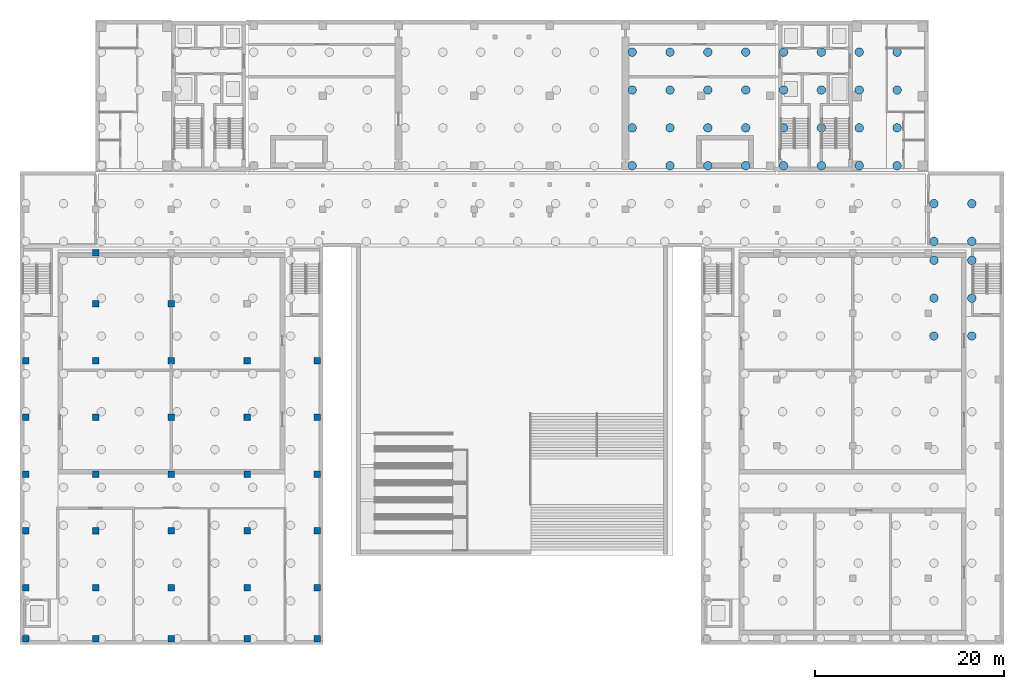
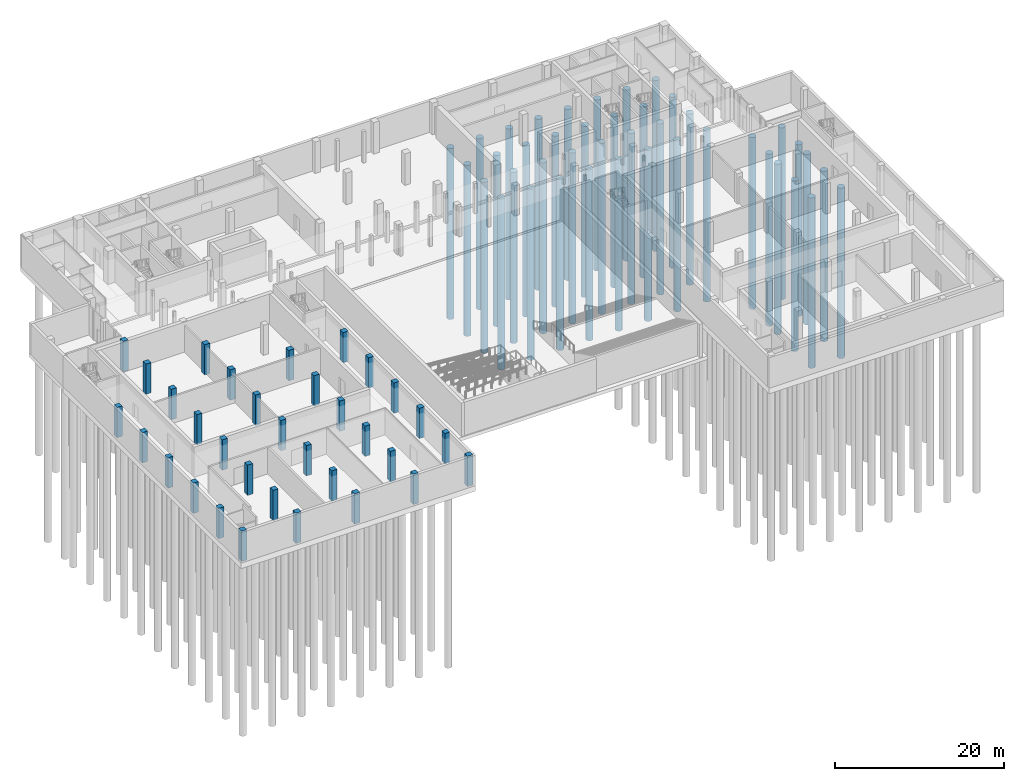
# One storey, part 2 of 21: 42 piles, 33 columns.
"""IFC4 building model written with IfcOpenShell, lengths in metres."""

import ifcopenshell
import ifcopenshell.guid

model = None  # the IFC model being written
_history = None  # IfcOwnerHistory: only IFC2X3 demands one
_inside = {}  # id of a spatial element -> (the spatial element, [elements in it])
_under = {}  # id of a project, library or spatial element -> (it, [spatial elements below it])
_declared = {}  # id of a project -> (the project, [libraries it declares])
_typed = {}  # id of a type object -> (the type object, [elements of that type])
_made_of = {}  # id of a material, layer set ... -> (it, [elements and type objects made of it])


def new_model(schema):
    """Start an empty IFC model of exactly this schema.

    Asked for "IFC4X3", IfcOpenShell would pick the latest addendum, in which some entities
    have other attributes; the version numbers below select the first issue.
    IFC2X3 requires an IfcOwnerHistory on every rooted entity: one is made here for all.
    """
    global model, _history
    if schema == "IFC4X3":
        model = ifcopenshell.file(schema_version=(4, 3, 0, 0))
    else:
        model = ifcopenshell.file(schema=schema)
    _inside.clear()
    _under.clear()
    _declared.clear()
    _typed.clear()
    _made_of.clear()
    _history = None
    if model.schema == "IFC2X3":
        org = make("IfcOrganization", Name="unknown")
        user = make(
            "IfcPersonAndOrganization",
            ThePerson=make("IfcPerson", FamilyName="unknown"),
            TheOrganization=org,
        )
        app = make(
            "IfcApplication",
            ApplicationDeveloper=org,
            Version="unknown",
            ApplicationFullName="unknown",
            ApplicationIdentifier="unknown",
        )
        _history = make(
            "IfcOwnerHistory",
            OwningUser=user,
            OwningApplication=app,
            ChangeAction="ADDED",
            CreationDate=0,
        )
    return model


def make(cls, **values):
    """One entity of the class cls with the attributes given. An attribute that is None is left unset."""
    return model.create_entity(
        cls, **{name: value for name, value in values.items() if value is not None}
    )


def rooted(cls, **values):
    """An entity with a GlobalId (a new one), such as an element, a storey or a relation."""
    return make(cls, GlobalId=ifcopenshell.guid.new(), OwnerHistory=_history, **values)


def si_unit(unit_type, name, prefix=None):
    """IfcSIUnit, for example si_unit("LENGTHUNIT", "METRE", prefix="MILLI")."""
    return make("IfcSIUnit", UnitType=unit_type, Prefix=prefix, Name=name)


def assignment(units):
    """IfcUnitAssignment: the units of a project."""
    return None if units is None else make("IfcUnitAssignment", Units=units)


def point(xyz):
    """IfcCartesianPoint."""
    return None if xyz is None else make("IfcCartesianPoint", Coordinates=xyz)


def direction(xyz):
    """IfcDirection."""
    return None if xyz is None else make("IfcDirection", DirectionRatios=xyz)


def frame(location, z_axis=None, x_axis=None):
    """IfcAxis2Placement3D, a coordinate frame: its origin and axes. An axis left out is left unset."""
    return make(
        "IfcAxis2Placement3D",
        Location=point(location),
        Axis=direction(z_axis),
        RefDirection=direction(x_axis),
    )


def frame_2d(location, x_axis=None):
    """IfcAxis2Placement2D, a coordinate frame in the plane: its origin and x axis."""
    return make(
        "IfcAxis2Placement2D", Location=point(location), RefDirection=direction(x_axis)
    )


def origin():
    """The frame at (0, 0, 0) with its axes left unset."""
    return frame((0.0, 0.0, 0.0))


def origin_2d():
    """The frame at (0, 0) in the plane with its x axis left unset."""
    return frame_2d((0.0, 0.0))


def place(relative_to, where):
    """IfcLocalPlacement: puts the frame where relative to a parent placement (None: the world)."""
    return make(
        "IfcLocalPlacement", PlacementRelTo=relative_to, RelativePlacement=where
    )


def context(
    kind, dimensions, precision=None, world=None, true_north=None, identifier=None
):
    """IfcGeometricRepresentationContext, for example the 3D "Model" context."""
    return make(
        "IfcGeometricRepresentationContext",
        ContextIdentifier=identifier,
        ContextType=kind,
        CoordinateSpaceDimension=dimensions,
        Precision=precision,
        WorldCoordinateSystem=world,
        TrueNorth=true_north,
    )


def subcontext(parent, identifier, kind, view, scale=None):
    """IfcGeometricRepresentationSubContext, for example "Body" below "Model"."""
    return make(
        "IfcGeometricRepresentationSubContext",
        ContextIdentifier=identifier,
        ContextType=kind,
        ParentContext=parent,
        TargetScale=scale,
        TargetView=view,
    )


def project(units=None, contexts=None):
    """IfcProject with its units and contexts."""
    return rooted(
        "IfcProject",
        Name="project",
        RepresentationContexts=contexts,
        UnitsInContext=assignment(units),
    )


def spatial(cls, under=None, at=None, **own):
    """A site, building, storey or space (cls), placed at a placement, below another one or the project."""
    s = rooted(cls, ObjectPlacement=at, **own)
    if under is not None:
        _under.setdefault(under.id(), (under, []))[1].append(s)
    return s


def profile(cls, at=None, kind="AREA", **sizes):
    """A parametric profile (cls). Its sizes go by their IFC names, for example OverallWidth=200.0."""
    return make(cls, ProfileType=kind, Position=at, **sizes)


def rectangle(**sizes):
    """IfcRectangleProfileDef."""
    return profile("IfcRectangleProfileDef", **sizes)


def circle(**sizes):
    """IfcCircleProfileDef."""
    return profile("IfcCircleProfileDef", **sizes)


def extrude(swept, where, along, depth):
    """IfcExtrudedAreaSolid: the profile swept, set in the frame where, extruded along a direction by depth."""
    return make(
        "IfcExtrudedAreaSolid",
        SweptArea=swept,
        Position=where,
        ExtrudedDirection=direction(along),
        Depth=depth,
    )


def shape(context_of_items, identifier, shape_type, items):
    """IfcShapeRepresentation: the items that make up one representation, for example the "Body"."""
    return make(
        "IfcShapeRepresentation",
        ContextOfItems=context_of_items,
        RepresentationIdentifier=identifier,
        RepresentationType=shape_type,
        Items=items,
    )


def material(Name=None, Category=None):
    """IfcMaterial."""
    return make("IfcMaterial", Name=Name, Category=Category)


def material_profile(
    of_material, cross_section, Name=None, Category=None, Priority=None
):
    """IfcMaterialProfile: a cross section and its material."""
    return make(
        "IfcMaterialProfile",
        Name=Name,
        Material=of_material,
        Profile=cross_section,
        Priority=Priority,
        Category=Category,
    )


def profile_set(profiles, Name=None, composite=None):
    """IfcMaterialProfileSet."""
    return make(
        "IfcMaterialProfileSet",
        Name=Name,
        MaterialProfiles=profiles,
        CompositeProfile=composite,
    )


def made_of(thing, what):
    """Note that an element or type object is made of a material, layer set ...; save() writes the relation."""
    if what is not None:
        _made_of.setdefault(what.id(), (what, []))[1].append(thing)
    return thing


def type_object(cls, material=None, **own):
    """A type object (cls), such as IfcWallType, which elements share."""
    return made_of(rooted(cls, **own), material)


def element(
    cls,
    number,
    at=None,
    inside=None,
    cuts=None,
    type_object=None,
    material=None,
    context=None,
    identifier="Body",
    shape_type=None,
    held_by="IfcProductDefinitionShape",
    body=None,
    shapes=None,
    **own,
):
    """One element of the class cls, such as IfcWall. Its Tag is "e" and its number.

    at: its placement. inside: the storey or other place that contains it. cuts: it is an
    opening in that element (IfcRelVoidsElement). A single representation is given by context,
    identifier, shape_type and body (its items); several are given by shapes. held_by: the class
    of the entity that holds the representations. save() writes the other relations.
    """
    e = rooted(cls, Tag="e%d" % number, ObjectPlacement=at, **own)
    if body is not None:
        shapes = [shape(context, identifier, shape_type, body)]
    if shapes is not None:
        e.Representation = make(held_by, Representations=shapes)
    if inside is not None:
        _inside.setdefault(inside.id(), (inside, []))[1].append(e)
    if cuts is not None:
        rooted(
            "IfcRelVoidsElement", RelatingBuildingElement=cuts, RelatedOpeningElement=e
        )
    if type_object is not None:
        _typed.setdefault(type_object.id(), (type_object, []))[1].append(e)
    return made_of(e, material)


def aggregate(whole, parts):
    """IfcRelAggregates: a whole, such as a stair, and the parts it consists of."""
    return rooted("IfcRelAggregates", RelatingObject=whole, RelatedObjects=parts)


def save(model, path):
    """Write the relations noted so far, then the file.

    IfcRelAggregates (storeys below a building ...), IfcRelContainedInSpatialStructure (elements
    in a storey), IfcRelDefinesByType, IfcRelAssociatesMaterial and IfcRelDeclares: one each for
    every whole, place, type object, material and project.
    """
    for whole, parts in _under.values():
        aggregate(whole, parts)
    for where, things in _inside.values():
        rooted(
            "IfcRelContainedInSpatialStructure",
            RelatedElements=things,
            RelatingStructure=where,
        )
    for kind, things in _typed.values():
        rooted("IfcRelDefinesByType", RelatedObjects=things, RelatingType=kind)
    for what, things in _made_of.values():
        rooted("IfcRelAssociatesMaterial", RelatedObjects=things, RelatingMaterial=what)
    for by, libraries in _declared.values():
        rooted("IfcRelDeclares", RelatingContext=by, RelatedDefinitions=libraries)
    model.write(path)


model = new_model("IFC4")

# Units and contexts
model_context = context("Model", 3, precision=1e-05, world=origin(), true_north=direction((0.0, 1.0)))
body_context = subcontext(model_context, "Body", "Model", "MODEL_VIEW")
ifc_project = project(units=[si_unit("LENGTHUNIT", "METRE"), si_unit("AREAUNIT", "SQUARE_METRE"), si_unit("VOLUMEUNIT", "CUBIC_METRE"), si_unit("PLANEANGLEUNIT", "RADIAN"), si_unit("MASSUNIT", "GRAM", prefix="KILO")], contexts=[model_context])

# Site, building, storey
site_placement = place(None, origin())
site = spatial("IfcSite", under=ifc_project, at=site_placement, CompositionType="ELEMENT")
building_placement = place(site_placement, origin())
building = spatial("IfcBuilding", under=site, at=building_placement, Name="Lantern Court Media Centre", CompositionType="ELEMENT")
storey_placement = place(building_placement, frame((0.0, 0.0, -4.800048828125)))
storey = spatial("IfcBuildingStorey", under=building, at=storey_placement, Name="B1", CompositionType="ELEMENT", Elevation=-4.800048828125)

# Piles
ifc_material_1 = material(Name="Concrete C30", Category="concrete")
ifc_material_profile_1 = material_profile(ifc_material_1, circle(Radius=0.449951171875, at=origin_2d()), Name="D900")
ifc_profile_set_1 = profile_set([ifc_material_profile_1], Name="Concrete C30")
pile_type = type_object("IfcPileType", Name="BORED PILE D900", PredefinedType="BORED", material=ifc_profile_set_1)
for number, where, z_axis, x_axis, name in (
    (1, (96.60009765625, 30.60009765625, -0.64990234375), (0.0, 0.0, -1.0), (1.0, 0.0, 0.0), "PL-B1-2-074"),
    (2, (96.60009765625, 34.60009765625, -0.64990234375), (0.0, 0.0, -1.0), (1.0, 0.0, 0.0), "PL-B1-2-075"),
    (3, (96.60009765625, 38.60009765625, -0.64990234375), (0.0, 0.0, -1.0), (1.0, 0.0, 0.0), "PL-B1-2-076"),
    (4, (100.60009765625, 30.60009765625, -0.64990234375), (0.0, 0.0, -1.0), (1.0, 0.0, 0.0), "PL-B1-2-085"),
    (5, (100.60009765625, 34.60009765625, -0.64990234375), (0.0, 0.0, -1.0), (1.0, 0.0, 0.0), "PL-B1-2-086"),
    (6, (100.60009765625, 38.60009765625, -0.64990234375), (0.0, 0.0, -1.0), (1.0, 0.0, 0.0), "PL-B1-2-087"),
):
    element("IfcPile", number, at=place(storey_placement, frame(where, z_axis=z_axis, x_axis=x_axis)), inside=storey, type_object=pile_type, Name=name, PredefinedType="BORED", context=body_context, shape_type="SweptSolid", body=[
        extrude(circle(Radius=0.449951171875, at=origin_2d()), origin(), (0.0, 0.0, 1.0), 24.550048828125),
    ])
for number, where, z_axis, x_axis, name in (
    (7, (96.60009765625, 40.60009765625, -0.449951171875), (0.0, 0.0, -1.0), (1.0, 0.0, 0.0), "PL-B1-3-046"),
    (8, (96.60009765625, 44.60009765625, -0.449951171875), (0.0, 0.0, -1.0), (1.0, 0.0, 0.0), "PL-B1-3-047"),
    (9, (100.60009765625, 40.60009765625, -0.449951171875), (0.0, 0.0, -1.0), (1.0, 0.0, 0.0), "PL-B1-3-048"),
    (10, (100.60009765625, 44.60009765625, -0.449951171875), (0.0, 0.0, -1.0), (1.0, 0.0, 0.0), "PL-B1-3-049"),
):
    element("IfcPile", number, at=place(storey_placement, frame(where, z_axis=z_axis, x_axis=x_axis)), inside=storey, type_object=pile_type, Name=name, PredefinedType="BORED", context=body_context, shape_type="SweptSolid", body=[
        extrude(circle(Radius=0.449951171875, at=origin_2d()), origin(), (0.0, 0.0, 1.0), 24.75),
    ])
for number, where, z_axis, x_axis, name in (
    (11, (64.699951171875, 48.60009765625, -0.550048828125), (0.0, 0.0, -1.0), (1.0, 0.0, 0.0), "PL-B1-4-2-040"),
    (12, (64.699951171875, 52.60009765625, -0.550048828125), (0.0, 0.0, -1.0), (1.0, 0.0, 0.0), "PL-B1-4-2-041"),
    (13, (64.699951171875, 56.60009765625, -0.550048828125), (0.0, 0.0, -1.0), (1.0, 0.0, 0.0), "PL-B1-4-2-042"),
    (14, (64.699951171875, 60.60009765625, -0.550048828125), (0.0, 0.0, -1.0), (1.0, 0.0, 0.0), "PL-B1-4-2-043"),
    (15, (68.699951171875, 48.60009765625, -0.550048828125), (0.0, 0.0, -1.0), (1.0, 0.0, 0.0), "PL-B1-4-2-044"),
    (16, (68.699951171875, 52.60009765625, -0.550048828125), (0.0, 0.0, -1.0), (1.0, 0.0, 0.0), "PL-B1-4-2-045"),
    (17, (68.699951171875, 56.60009765625, -0.550048828125), (0.0, 0.0, -1.0), (1.0, 0.0, 0.0), "PL-B1-4-2-046"),
    (18, (68.699951171875, 60.60009765625, -0.550048828125), (0.0, 0.0, -1.0), (1.0, 0.0, 0.0), "PL-B1-4-2-047"),
    (19, (72.699951171875, 48.60009765625, -0.550048828125), (0.0, 0.0, -1.0), (1.0, 0.0, 0.0), "PL-B1-4-2-048"),
    (20, (72.699951171875, 52.60009765625, -0.550048828125), (0.0, 0.0, -1.0), (1.0, 0.0, 0.0), "PL-B1-4-2-049"),
    (21, (72.699951171875, 56.60009765625, -0.550048828125), (0.0, 0.0, -1.0), (1.0, 0.0, 0.0), "PL-B1-4-2-050"),
    (22, (72.699951171875, 60.60009765625, -0.550048828125), (0.0, 0.0, -1.0), (1.0, 0.0, 0.0), "PL-B1-4-2-051"),
    (23, (76.699951171875, 48.60009765625, -0.550048828125), (0.0, 0.0, -1.0), (1.0, 0.0, 0.0), "PL-B1-4-2-052"),
    (24, (76.699951171875, 52.60009765625, -0.550048828125), (0.0, 0.0, -1.0), (1.0, 0.0, 0.0), "PL-B1-4-2-053"),
    (25, (76.699951171875, 56.60009765625, -0.550048828125), (0.0, 0.0, -1.0), (1.0, 0.0, 0.0), "PL-B1-4-2-054"),
    (26, (76.699951171875, 60.60009765625, -0.550048828125), (0.0, 0.0, -1.0), (1.0, 0.0, 0.0), "PL-B1-4-2-055"),
    (27, (80.699951171875, 48.60009765625, -0.550048828125), (0.0, 0.0, -1.0), (1.0, 0.0, 0.0), "PL-B1-4-3-000"),
    (28, (80.699951171875, 52.60009765625, -0.550048828125), (0.0, 0.0, -1.0), (1.0, 0.0, 0.0), "PL-B1-4-3-001"),
    (29, (80.699951171875, 56.60009765625, -0.550048828125), (0.0, 0.0, -1.0), (1.0, 0.0, 0.0), "PL-B1-4-3-002"),
    (30, (80.699951171875, 60.60009765625, -0.550048828125), (0.0, 0.0, -1.0), (1.0, 0.0, 0.0), "PL-B1-4-3-003"),
    (31, (84.699951171875, 48.60009765625, -0.550048828125), (0.0, 0.0, -1.0), (1.0, 0.0, 0.0), "PL-B1-4-3-004"),
    (32, (84.699951171875, 52.60009765625, -0.550048828125), (0.0, 0.0, -1.0), (1.0, 0.0, 0.0), "PL-B1-4-3-005"),
    (33, (84.699951171875, 56.60009765625, -0.550048828125), (0.0, 0.0, -1.0), (1.0, 0.0, 0.0), "PL-B1-4-3-006"),
    (34, (84.699951171875, 60.60009765625, -0.550048828125), (0.0, 0.0, -1.0), (1.0, 0.0, 0.0), "PL-B1-4-3-007"),
    (35, (88.699951171875, 48.60009765625, -0.550048828125), (0.0, 0.0, -1.0), (1.0, 0.0, 0.0), "PL-B1-4-3-008"),
    (36, (88.699951171875, 52.60009765625, -0.550048828125), (0.0, 0.0, -1.0), (1.0, 0.0, 0.0), "PL-B1-4-3-009"),
    (37, (88.699951171875, 56.60009765625, -0.550048828125), (0.0, 0.0, -1.0), (1.0, 0.0, 0.0), "PL-B1-4-3-010"),
    (38, (88.699951171875, 60.60009765625, -0.550048828125), (0.0, 0.0, -1.0), (1.0, 0.0, 0.0), "PL-B1-4-3-011"),
    (39, (92.699951171875, 48.60009765625, -0.550048828125), (0.0, 0.0, -1.0), (1.0, 0.0, 0.0), "PL-B1-4-3-012"),
    (40, (92.699951171875, 52.60009765625, -0.550048828125), (0.0, 0.0, -1.0), (1.0, 0.0, 0.0), "PL-B1-4-3-013"),
    (41, (92.699951171875, 56.60009765625, -0.550048828125), (0.0, 0.0, -1.0), (1.0, 0.0, 0.0), "PL-B1-4-3-014"),
    (42, (92.699951171875, 60.60009765625, -0.550048828125), (0.0, 0.0, -1.0), (1.0, 0.0, 0.0), "PL-B1-4-3-015"),
):
    element("IfcPile", number, at=place(storey_placement, frame(where, z_axis=z_axis, x_axis=x_axis)), inside=storey, type_object=pile_type, Name=name, PredefinedType="BORED", context=body_context, shape_type="SweptSolid", body=[
        extrude(circle(Radius=0.449951171875, at=origin_2d()), origin(), (0.0, 0.0, 1.0), 24.64990234375),
    ])

# Columns
ifc_material_2 = material(Name="Concrete C35", Category="concrete")
ifc_material_profile_2 = material_profile(ifc_material_2, rectangle(XDim=0.699951171875, YDim=0.699951171875, at=origin_2d()), Name="RC 700x700")
ifc_profile_set_2 = profile_set([ifc_material_profile_2], Name="Concrete C35")
column_type = type_object("IfcColumnType", Name="RC COLUMN 700x700", PredefinedType="COLUMN", material=ifc_profile_set_2)
for number, where, z_axis, x_axis, name in (
    (43, (0.60009765625, -1.39990234375, 0.0), (0.0, 0.0, 1.0), (1.0, 0.0, 0.0), "C-V1-0-0-B1"),
    (44, (0.60009765625, 4.0, 0.0), (0.0, 0.0, 1.0), (1.0, 0.0, 0.0), "C-V1-0-1-B1"),
    (45, (0.60009765625, 10.0, 0.0), (0.0, 0.0, 1.0), (1.0, 0.0, 0.0), "C-V1-0-2-B1"),
    (46, (0.60009765625, 16.0, 0.0), (0.0, 0.0, 1.0), (1.0, 0.0, 0.0), "C-V1-0-3-B1"),
    (47, (0.60009765625, 22.0, 0.0), (0.0, 0.0, 1.0), (1.0, 0.0, 0.0), "C-V1-0-4-B1"),
    (48, (0.60009765625, 28.0, 0.0), (0.0, 0.0, 1.0), (1.0, 0.0, 0.0), "C-V1-0-5-B1"),
    (49, (8.0, -1.39990234375, 0.0), (0.0, 0.0, 1.0), (1.0, 0.0, 0.0), "C-V1-1-0-B1"),
    (50, (8.0, 4.0, 0.0), (0.0, 0.0, 1.0), (1.0, 0.0, 0.0), "C-V1-1-1-B1"),
    (51, (8.0, 10.0, 0.0), (0.0, 0.0, 1.0), (1.0, 0.0, 0.0), "C-V1-1-2-B1"),
    (52, (8.0, 16.0, 0.0), (0.0, 0.0, 1.0), (1.0, 0.0, 0.0), "C-V1-1-3-B1"),
    (53, (8.0, 22.0, 0.0), (0.0, 0.0, 1.0), (1.0, 0.0, 0.0), "C-V1-1-4-B1"),
    (54, (8.0, 28.0, 0.0), (0.0, 0.0, 1.0), (1.0, 0.0, 0.0), "C-V1-1-5-B1"),
    (55, (8.0, 34.0, 0.0), (0.0, 0.0, 1.0), (1.0, 0.0, 0.0), "C-V1-1-6-B1"),
    (56, (8.0, 39.39990234375, 0.0), (0.0, 0.0, 1.0), (1.0, 0.0, 0.0), "C-V1-1-7-B1"),
    (57, (16.0, -1.39990234375, 0.0), (0.0, 0.0, 1.0), (1.0, 0.0, 0.0), "C-V1-2-0-B1"),
    (58, (16.0, 4.0, 0.0), (0.0, 0.0, 1.0), (1.0, 0.0, 0.0), "C-V1-2-1-B1"),
    (59, (16.0, 10.0, 0.0), (0.0, 0.0, 1.0), (1.0, 0.0, 0.0), "C-V1-2-2-B1"),
    (60, (16.0, 16.0, 0.0), (0.0, 0.0, 1.0), (1.0, 0.0, 0.0), "C-V1-2-3-B1"),
    (61, (16.0, 22.0, 0.0), (0.0, 0.0, 1.0), (1.0, 0.0, 0.0), "C-V1-2-4-B1"),
    (62, (16.0, 28.0, 0.0), (0.0, 0.0, 1.0), (1.0, 0.0, 0.0), "C-V1-2-5-B1"),
    (63, (16.0, 34.0, 0.0), (0.0, 0.0, 1.0), (1.0, 0.0, 0.0), "C-V1-2-6-B1"),
    (64, (24.0, -1.39990234375, 0.0), (0.0, 0.0, 1.0), (1.0, 0.0, 0.0), "C-V1-3-0-B1"),
    (65, (24.0, 4.0, 0.0), (0.0, 0.0, 1.0), (1.0, 0.0, 0.0), "C-V1-3-1-B1"),
    (66, (24.0, 10.0, 0.0), (0.0, 0.0, 1.0), (1.0, 0.0, 0.0), "C-V1-3-2-B1"),
    (67, (24.0, 16.0, 0.0), (0.0, 0.0, 1.0), (1.0, 0.0, 0.0), "C-V1-3-3-B1"),
    (68, (24.0, 22.0, 0.0), (0.0, 0.0, 1.0), (1.0, 0.0, 0.0), "C-V1-3-4-B1"),
    (69, (24.0, 28.0, 0.0), (0.0, 0.0, 1.0), (1.0, 0.0, 0.0), "C-V1-3-5-B1"),
    (70, (31.39990234375, -1.39990234375, 0.0), (0.0, 0.0, 1.0), (1.0, 0.0, 0.0), "C-V1-4-0-B1"),
    (71, (31.39990234375, 4.0, 0.0), (0.0, 0.0, 1.0), (1.0, 0.0, 0.0), "C-V1-4-1-B1"),
    (72, (31.39990234375, 10.0, 0.0), (0.0, 0.0, 1.0), (1.0, 0.0, 0.0), "C-V1-4-2-B1"),
    (73, (31.39990234375, 16.0, 0.0), (0.0, 0.0, 1.0), (1.0, 0.0, 0.0), "C-V1-4-3-B1"),
    (74, (31.39990234375, 22.0, 0.0), (0.0, 0.0, 1.0), (1.0, 0.0, 0.0), "C-V1-4-4-B1"),
    (75, (31.39990234375, 28.0, 0.0), (0.0, 0.0, 1.0), (1.0, 0.0, 0.0), "C-V1-4-5-B1"),
):
    element("IfcColumn", number, at=place(storey_placement, frame(where, z_axis=z_axis, x_axis=x_axis)), inside=storey, type_object=column_type, Name=name, PredefinedType="COLUMN", context=body_context, shape_type="SweptSolid", body=[
        extrude(rectangle(XDim=0.699951171875, YDim=0.699951171875, at=origin_2d()), origin(), (0.0, 0.0, 1.0), 4.380126953125),
    ])

save(model, "model.ifc")
